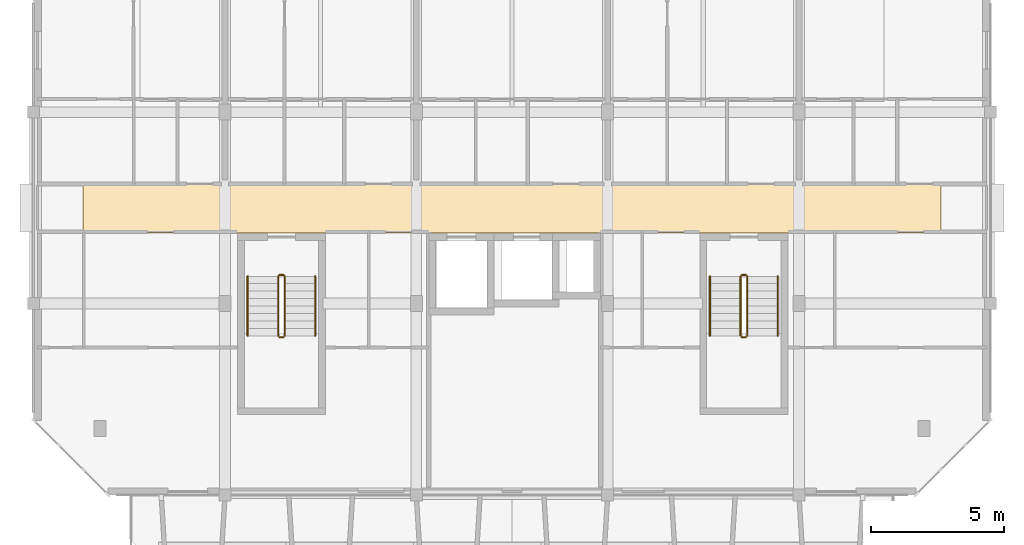
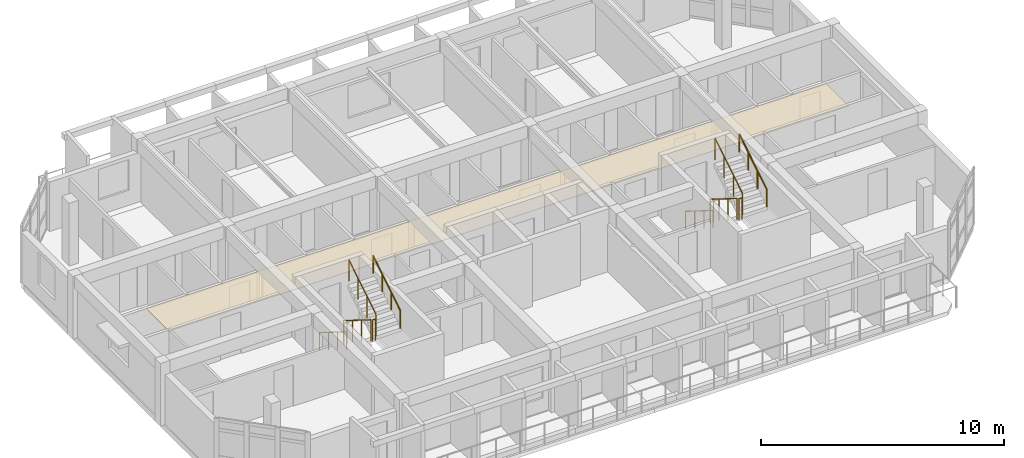
# One storey, part 21 of 22: 12 railings, 1 covering.
"""IFC4 building model written with IfcOpenShell, lengths in metres."""

from ifc_helpers import new_model, si_unit, direction, frame, origin, origin_2d, place, context, subcontext, project, spatial, polyline, circle, outline, extrude, material, layer, layer_set, type_object, element, save


model = new_model("IFC4")

# Units and contexts
model_context = context("Model", 3, precision=1e-05, world=origin(), true_north=direction((0.0, 1.0)))
body_context = subcontext(model_context, "Body", "Model", "MODEL_VIEW")
ifc_project = project(units=[si_unit("LENGTHUNIT", "METRE"), si_unit("AREAUNIT", "SQUARE_METRE"), si_unit("VOLUMEUNIT", "CUBIC_METRE"), si_unit("PLANEANGLEUNIT", "RADIAN"), si_unit("MASSUNIT", "GRAM", prefix="KILO")], contexts=[model_context])

# Site, building, storey
site_placement = place(None, origin())
site = spatial("IfcSite", under=ifc_project, at=site_placement, CompositionType="ELEMENT")
building_placement = place(site_placement, origin())
building = spatial("IfcBuilding", under=site, at=building_placement, Name="Ochrevale Crest", CompositionType="ELEMENT")
storey_placement = place(building_placement, frame((0.0, 0.0, 40.199951171875)))
storey = spatial("IfcBuildingStorey", under=building, at=storey_placement, Name="L12", CompositionType="ELEMENT", Elevation=40.199951171875)

# Covering
ifc_material_1 = material(Name="Gypsum plasterboard", Category="gypsum")
ifc_layer = layer(ifc_material_1, 0.02490234375)
ifc_layer_set = layer_set([ifc_layer], Name="Gypsum plasterboard")
covering_type = type_object("IfcCoveringType", Name="COV-CEIL-GYP", PredefinedType="CEILING", material=ifc_layer_set)
covering_placement = place(storey_placement, frame((0.0, 0.0, 2.280029296875)))
element("IfcCovering", 1, at=covering_placement, inside=storey, type_object=covering_type, Name="Block D L12 acoustic corridor ceiling", PredefinedType="CEILING", context=body_context, shape_type="SweptSolid", body=[
    extrude(outline(polyline([(131.449951171875, 81.860107421875), (163.75, 81.860107421875), (163.75, 83.739990234375), (131.449951171875, 83.739990234375), (131.449951171875, 81.860107421875)])), origin(), (0.0, 0.0, 1.0), 0.02490234375),
])

# Railings
ifc_material_2 = material(Name="Galvanised steel", Category="steel")
railing_type_1 = type_object("IfcRailingType", Name="RL-ST-GUARD", PredefinedType="BALUSTRADE", material=ifc_material_2)
railing_1_placement = place(storey_placement, frame((138.800048828125, 80.22509765625, 0.175048828125)))
element("IfcRailing", 2, at=railing_1_placement, inside=storey, type_object=railing_type_1, Name="L12 ST-D1 stair guard 1", PredefinedType="BALUSTRADE", context=body_context, shape_type="SweptSolid", body=[
    extrude(circle(Radius=0.02392578125, at=origin_2d()), frame((0.0, 0.0, 1.076171875), z_axis=(0.0, -0.848013881152, 0.529974015752), x_axis=(1.0, 0.0, 0.0)), (0.0, 0.0, 1.0), 2.641357421875),
    extrude(circle(Radius=0.02099609375, at=origin_2d()), origin(), (0.0, 0.0, 1.0), 1.052001953125),
    extrude(circle(Radius=0.02099609375, at=origin_2d()), frame((0.0, -0.74658203125, 0.466552734375)), (0.0, 0.0, 1.0), 1.052001953125),
    extrude(circle(Radius=0.02099609375, at=origin_2d()), frame((0.0, -1.493408203125, 0.933349609375)), (0.0, 0.0, 1.0), 1.052001953125),
    extrude(circle(Radius=0.02099609375, at=origin_2d()), frame((0.0, -2.239990234375, 1.39990234375)), (0.0, 0.0, 1.0), 1.052001953125),
])
railing_2_placement = place(storey_placement, frame((138.85009765625, 77.93505859375, 1.574951171875)))
element("IfcRailing", 3, at=railing_2_placement, inside=storey, type_object=railing_type_1, Name="L12 ST-D1 stair guard 2", PredefinedType="BALUSTRADE", context=body_context, shape_type="SweptSolid", body=[
    extrude(circle(Radius=0.02392578125, at=origin_2d()), frame((0.0, 0.0, 1.076171875), z_axis=(1.0, 0.0, 0.0), x_axis=(0.0, 1.0, 0.0)), (0.0, 0.0, 1.0), 0.14990234375),
    extrude(circle(Radius=0.02099609375, at=origin_2d()), origin(), (0.0, 0.0, 1.0), 1.052001953125),
    extrude(circle(Radius=0.02099609375, at=origin_2d()), frame((0.14990234375, 0.0, 0.0)), (0.0, 0.0, 1.0), 1.052001953125),
])
railing_3_placement = place(storey_placement, frame((139.050048828125, 77.985107421875, 1.75)))
element("IfcRailing", 4, at=railing_3_placement, inside=storey, type_object=railing_type_1, Name="L12 ST-D1 stair guard 3", PredefinedType="BALUSTRADE", context=body_context, shape_type="SweptSolid", body=[
    extrude(circle(Radius=0.02392578125, at=origin_2d()), frame((0.0, 0.0, 1.076171875), z_axis=(0.0, 0.847972341737, 0.530040477369), x_axis=(-1.0, 0.0, 0.0)), (0.0, 0.0, 1.0), 2.6416015625),
    extrude(circle(Radius=0.02099609375, at=origin_2d()), origin(), (0.0, 0.0, 1.0), 1.052001953125),
    extrude(circle(Radius=0.02099609375, at=origin_2d()), frame((0.0, 0.74658203125, 0.466796875)), (0.0, 0.0, 1.0), 1.052001953125),
    extrude(circle(Radius=0.02099609375, at=origin_2d()), frame((0.0, 1.493408203125, 0.933349609375)), (0.0, 0.0, 1.0), 1.052001953125),
    extrude(circle(Radius=0.02099609375, at=origin_2d()), frame((0.0, 2.239990234375, 1.400146484375)), (0.0, 0.0, 1.0), 1.052001953125),
])
railing_4_placement = place(storey_placement, frame((138.85009765625, 80.27490234375, 0.0)))
element("IfcRailing", 5, at=railing_4_placement, inside=storey, type_object=railing_type_1, Name="L12 ST-D1 stair guard 4", PredefinedType="BALUSTRADE", context=body_context, shape_type="SweptSolid", body=[
    extrude(circle(Radius=0.02392578125, at=origin_2d()), frame((0.0, 0.0, 1.076171875), z_axis=(1.0, 0.0, 0.0), x_axis=(0.0, 1.0, 0.0)), (0.0, 0.0, 1.0), 0.14990234375),
    extrude(circle(Radius=0.02099609375, at=origin_2d()), origin(), (0.0, 0.0, 1.0), 1.052001953125),
    extrude(circle(Radius=0.02099609375, at=origin_2d()), frame((0.14990234375, 0.0, 0.0)), (0.0, 0.0, 1.0), 1.052001953125),
])
railing_5_placement = place(storey_placement, frame((156.199951171875, 80.22509765625, 0.175048828125)))
element("IfcRailing", 6, at=railing_5_placement, inside=storey, type_object=railing_type_1, Name="L12 ST-D2 stair guard 1", PredefinedType="BALUSTRADE", context=body_context, shape_type="SweptSolid", body=[
    extrude(circle(Radius=0.02392578125, at=origin_2d()), frame((0.0, 0.0, 1.076171875), z_axis=(0.0, -0.848013881152, 0.529974015752), x_axis=(1.0, 0.0, 0.0)), (0.0, 0.0, 1.0), 2.641357421875),
    extrude(circle(Radius=0.02099609375, at=origin_2d()), origin(), (0.0, 0.0, 1.0), 1.052001953125),
    extrude(circle(Radius=0.02099609375, at=origin_2d()), frame((0.0, -0.74658203125, 0.466552734375)), (0.0, 0.0, 1.0), 1.052001953125),
    extrude(circle(Radius=0.02099609375, at=origin_2d()), frame((0.0, -1.493408203125, 0.933349609375)), (0.0, 0.0, 1.0), 1.052001953125),
    extrude(circle(Radius=0.02099609375, at=origin_2d()), frame((0.0, -2.239990234375, 1.39990234375)), (0.0, 0.0, 1.0), 1.052001953125),
])
railing_6_placement = place(storey_placement, frame((156.25, 77.93505859375, 1.574951171875)))
element("IfcRailing", 7, at=railing_6_placement, inside=storey, type_object=railing_type_1, Name="L12 ST-D2 stair guard 2", PredefinedType="BALUSTRADE", context=body_context, shape_type="SweptSolid", body=[
    extrude(circle(Radius=0.02392578125, at=origin_2d()), frame((0.0, 0.0, 1.076171875), z_axis=(1.0, 0.0, 0.0), x_axis=(0.0, 1.0, 0.0)), (0.0, 0.0, 1.0), 0.14990234375),
    extrude(circle(Radius=0.02099609375, at=origin_2d()), origin(), (0.0, 0.0, 1.0), 1.052001953125),
    extrude(circle(Radius=0.02099609375, at=origin_2d()), frame((0.14990234375, 0.0, 0.0)), (0.0, 0.0, 1.0), 1.052001953125),
])
railing_7_placement = place(storey_placement, frame((156.449951171875, 77.985107421875, 1.75)))
element("IfcRailing", 8, at=railing_7_placement, inside=storey, type_object=railing_type_1, Name="L12 ST-D2 stair guard 3", PredefinedType="BALUSTRADE", context=body_context, shape_type="SweptSolid", body=[
    extrude(circle(Radius=0.02392578125, at=origin_2d()), frame((0.0, 0.0, 1.076171875), z_axis=(0.0, 0.847972341737, 0.530040477369), x_axis=(-1.0, 0.0, 0.0)), (0.0, 0.0, 1.0), 2.6416015625),
    extrude(circle(Radius=0.02099609375, at=origin_2d()), origin(), (0.0, 0.0, 1.0), 1.052001953125),
    extrude(circle(Radius=0.02099609375, at=origin_2d()), frame((0.0, 0.74658203125, 0.466796875)), (0.0, 0.0, 1.0), 1.052001953125),
    extrude(circle(Radius=0.02099609375, at=origin_2d()), frame((0.0, 1.493408203125, 0.933349609375)), (0.0, 0.0, 1.0), 1.052001953125),
    extrude(circle(Radius=0.02099609375, at=origin_2d()), frame((0.0, 2.239990234375, 1.400146484375)), (0.0, 0.0, 1.0), 1.052001953125),
])
railing_8_placement = place(storey_placement, frame((156.25, 80.27490234375, 0.0)))
element("IfcRailing", 9, at=railing_8_placement, inside=storey, type_object=railing_type_1, Name="L12 ST-D2 stair guard 4", PredefinedType="BALUSTRADE", context=body_context, shape_type="SweptSolid", body=[
    extrude(circle(Radius=0.02392578125, at=origin_2d()), frame((0.0, 0.0, 1.076171875), z_axis=(1.0, 0.0, 0.0), x_axis=(0.0, 1.0, 0.0)), (0.0, 0.0, 1.0), 0.14990234375),
    extrude(circle(Radius=0.02099609375, at=origin_2d()), origin(), (0.0, 0.0, 1.0), 1.052001953125),
    extrude(circle(Radius=0.02099609375, at=origin_2d()), frame((0.14990234375, 0.0, 0.0)), (0.0, 0.0, 1.0), 1.052001953125),
])
ifc_material_3 = material(Name="Stainless steel", Category="steel")
railing_type_2 = type_object("IfcRailingType", Name="RL-ST-HRAIL", PredefinedType="HANDRAIL", material=ifc_material_3)
railing_9_placement = place(storey_placement, frame((137.64990234375, 80.22509765625, 0.175048828125)))
element("IfcRailing", 10, at=railing_9_placement, inside=storey, type_object=railing_type_2, Name="L12 ST-D1 stair handrail 1", PredefinedType="HANDRAIL", context=body_context, shape_type="SweptSolid", body=[
    extrude(circle(Radius=0.02392578125, at=origin_2d()), frame((0.0, 0.0, 0.8759765625), z_axis=(0.0, -0.848013881152, 0.529974015752), x_axis=(1.0, 0.0, 0.0)), (0.0, 0.0, 1.0), 2.641357421875),
    extrude(circle(Radius=0.02099609375, at=origin_2d()), origin(), (0.0, 0.0, 1.0), 0.851806640625),
    extrude(circle(Radius=0.02099609375, at=origin_2d()), frame((0.0, -0.74658203125, 0.466552734375)), (0.0, 0.0, 1.0), 0.851806640625),
    extrude(circle(Radius=0.02099609375, at=origin_2d()), frame((0.0, -1.493408203125, 0.933349609375)), (0.0, 0.0, 1.0), 0.851806640625),
    extrude(circle(Radius=0.02099609375, at=origin_2d()), frame((0.0, -2.239990234375, 1.39990234375)), (0.0, 0.0, 1.0), 0.851806640625),
])
railing_10_placement = place(storey_placement, frame((140.199951171875, 77.985107421875, 1.75)))
element("IfcRailing", 11, at=railing_10_placement, inside=storey, type_object=railing_type_2, Name="L12 ST-D1 stair handrail 2", PredefinedType="HANDRAIL", context=body_context, shape_type="SweptSolid", body=[
    extrude(circle(Radius=0.02392578125, at=origin_2d()), frame((0.0, 0.0, 0.8759765625), z_axis=(0.0, 0.847972341737, 0.530040477369), x_axis=(-1.0, 0.0, 0.0)), (0.0, 0.0, 1.0), 2.6416015625),
    extrude(circle(Radius=0.02099609375, at=origin_2d()), origin(), (0.0, 0.0, 1.0), 0.851806640625),
    extrude(circle(Radius=0.02099609375, at=origin_2d()), frame((0.0, 0.74658203125, 0.466796875)), (0.0, 0.0, 1.0), 0.851806640625),
    extrude(circle(Radius=0.02099609375, at=origin_2d()), frame((0.0, 1.493408203125, 0.933349609375)), (0.0, 0.0, 1.0), 0.851806640625),
    extrude(circle(Radius=0.02099609375, at=origin_2d()), frame((0.0, 2.239990234375, 1.400146484375)), (0.0, 0.0, 1.0), 0.851806640625),
])
railing_11_placement = place(storey_placement, frame((155.050048828125, 80.22509765625, 0.175048828125)))
element("IfcRailing", 12, at=railing_11_placement, inside=storey, type_object=railing_type_2, Name="L12 ST-D2 stair handrail 1", PredefinedType="HANDRAIL", context=body_context, shape_type="SweptSolid", body=[
    extrude(circle(Radius=0.02392578125, at=origin_2d()), frame((0.0, 0.0, 0.8759765625), z_axis=(0.0, -0.848013881152, 0.529974015752), x_axis=(1.0, 0.0, 0.0)), (0.0, 0.0, 1.0), 2.641357421875),
    extrude(circle(Radius=0.02099609375, at=origin_2d()), origin(), (0.0, 0.0, 1.0), 0.851806640625),
    extrude(circle(Radius=0.02099609375, at=origin_2d()), frame((0.0, -0.74658203125, 0.466552734375)), (0.0, 0.0, 1.0), 0.851806640625),
    extrude(circle(Radius=0.02099609375, at=origin_2d()), frame((0.0, -1.493408203125, 0.933349609375)), (0.0, 0.0, 1.0), 0.851806640625),
    extrude(circle(Radius=0.02099609375, at=origin_2d()), frame((0.0, -2.239990234375, 1.39990234375)), (0.0, 0.0, 1.0), 0.851806640625),
])
railing_12_placement = place(storey_placement, frame((157.60009765625, 77.985107421875, 1.75)))
element("IfcRailing", 13, at=railing_12_placement, inside=storey, type_object=railing_type_2, Name="L12 ST-D2 stair handrail 2", PredefinedType="HANDRAIL", context=body_context, shape_type="SweptSolid", body=[
    extrude(circle(Radius=0.02392578125, at=origin_2d()), frame((0.0, 0.0, 0.8759765625), z_axis=(0.0, 0.847972341737, 0.530040477369), x_axis=(-1.0, 0.0, 0.0)), (0.0, 0.0, 1.0), 2.6416015625),
    extrude(circle(Radius=0.02099609375, at=origin_2d()), origin(), (0.0, 0.0, 1.0), 0.851806640625),
    extrude(circle(Radius=0.02099609375, at=origin_2d()), frame((0.0, 0.74658203125, 0.466796875)), (0.0, 0.0, 1.0), 0.851806640625),
    extrude(circle(Radius=0.02099609375, at=origin_2d()), frame((0.0, 1.493408203125, 0.933349609375)), (0.0, 0.0, 1.0), 0.851806640625),
    extrude(circle(Radius=0.02099609375, at=origin_2d()), frame((0.0, 2.239990234375, 1.400146484375)), (0.0, 0.0, 1.0), 0.851806640625),
])

save(model, "model.ifc")
